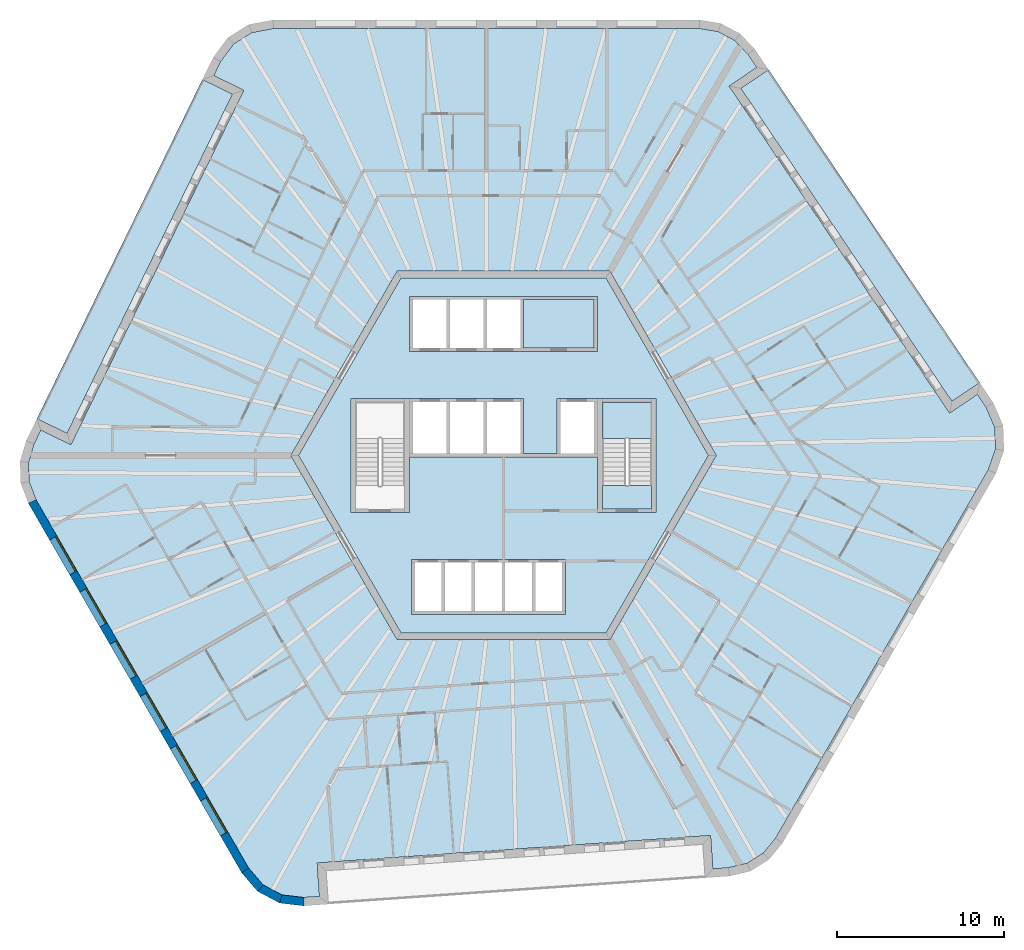
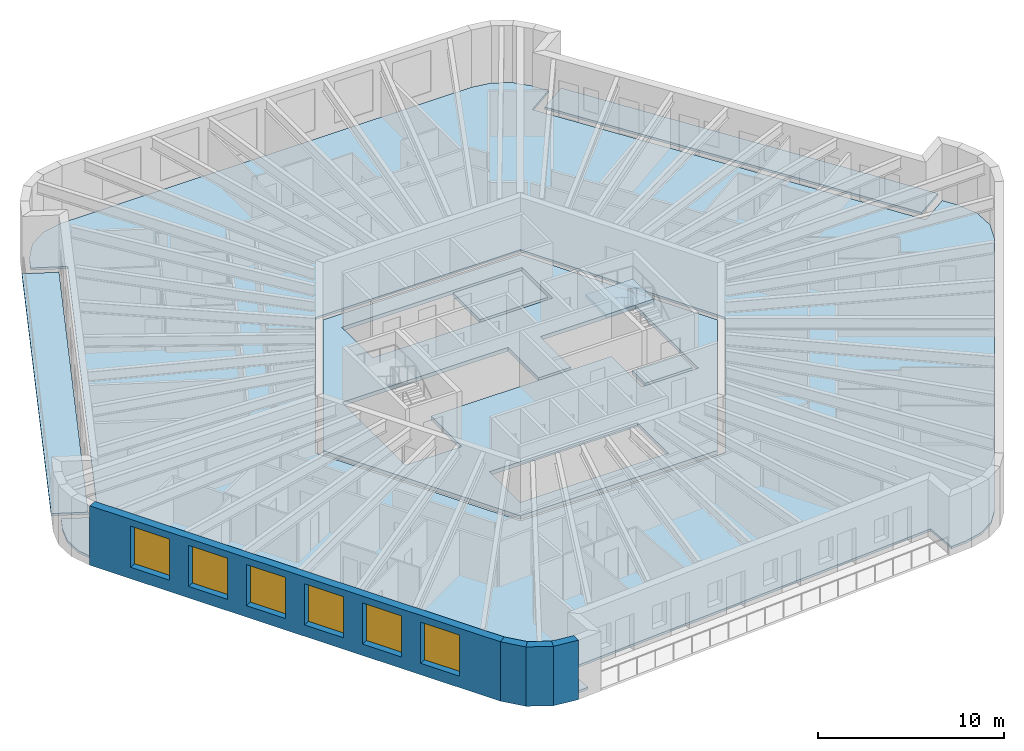
# One storey, part 2 of 12: 7 slabs, 6 windows, 4 walls, 6 openings, 1 element without a shape of its own.
"""IFC4 building model written with IfcOpenShell, lengths in metres."""

from ifc_helpers import new_model, si_unit, direction, frame, frame_2d, origin, place, context, subcontext, project, spatial, polyline, rectangle, outline, extrude, material, layer, layer_set, type_object, element, fill, aggregate, save


model = new_model("IFC4")

# Units and contexts
model_context = context("Model", 3, precision=1e-05, world=origin(), true_north=direction((0.0, 1.0)))
body_context = subcontext(model_context, "Body", "Model", "MODEL_VIEW")
ifc_project = project(units=[si_unit("LENGTHUNIT", "METRE"), si_unit("AREAUNIT", "SQUARE_METRE"), si_unit("VOLUMEUNIT", "CUBIC_METRE"), si_unit("PLANEANGLEUNIT", "RADIAN"), si_unit("MASSUNIT", "GRAM", prefix="KILO")], contexts=[model_context])

# Site, building, storey
site_placement = place(None, origin())
site = spatial("IfcSite", under=ifc_project, at=site_placement, CompositionType="ELEMENT")
building_placement = place(site_placement, origin())
building = spatial("IfcBuilding", under=site, at=building_placement, Name="Tarnside Tower", CompositionType="ELEMENT")
storey_placement = place(building_placement, frame((0.0, 0.0, 295.199951171875)))
storey = spatial("IfcBuildingStorey", under=building, at=storey_placement, Name="L71", CompositionType="ELEMENT", Elevation=295.199951171875)

# Slabs
ifc_material_1 = material(Name="Concrete C35/45", Category="concrete")
ifc_layer_1 = layer(ifc_material_1, 0.14990234375)
ifc_layer_set_1 = layer_set([ifc_layer_1], Name="Composite floor slab 150")
slab_type_1 = type_object("IfcSlabType", Name="Composite floor slab 150", PredefinedType="FLOOR", material=ifc_layer_set_1)
slab_1_placement = place(storey_placement, frame((0.0, 0.0, -0.14990234375)))
element("IfcSlab", 1, at=slab_1_placement, inside=storey, type_object=slab_type_1, Name="Floor slab L71", PredefinedType="FLOOR", context=body_context, shape_type="SweptSolid", body=[
    extrude(outline(polyline([(12.81689453125, 25.312744140625), (13.818115234375, 24.7802734375), (14.610595703125, 23.940185546875), (15.130615234375, 23.169677734375), (13.472412109375, 22.05126953125), (26.638427734375, 2.53173828125), (28.29638671875, 3.650146484375), (28.814697265625, 2.8818359375), (29.336669921875, 1.671875), (29.3818359375, 0.378662109375), (28.945556640625, -0.864990234375), (16.2451171875, -22.86279296875), (15.51318359375, -23.756103515625), (14.55126953125, -24.35693359375), (13.427490234375, -24.623291015625), (12.500244140625, -24.688232421875), (12.360595703125, -22.693115234375), (-11.126708984375, -24.33544921875), (-10.9873046875, -26.33056640625), (-11.91162109375, -26.395263671875), (-13.220458984375, -26.2421875), (-14.363037109375, -25.634765625), (-15.2216796875, -24.635009765625), (-27.922119140625, -2.63720703125), (-28.329833984375, -1.556640625), (-28.369384765625, -0.42333984375), (-28.0380859375, 0.68310546875), (-27.630615234375, 1.5185546875), (-25.8330078125, 0.641845703125), (-15.51171875, 21.8037109375), (-17.309326171875, 22.680419921875), (-16.903076171875, 23.51318359375), (-16.1162109375, 24.5703125), (-15.018798828125, 25.256103515625), (-13.723876953125, 25.5), (11.67724609375, 25.5), (12.81689453125, 25.312744140625)]), holes=[polyline([(-12.70166015625, 0.0), (-6.350830078125, -11.0), (6.350830078125, -11.0), (12.70166015625, 0.0), (6.350830078125, 11.0), (-6.350830078125, 11.0), (-12.70166015625, 0.0)])]), origin(), (0.0, 0.0, 1.0), 0.14990234375),
])
ifc_material_2 = material(Name="Concrete C40/50", Category="concrete")
ifc_layer_2 = layer(ifc_material_2, 0.25)
ifc_layer_set_2 = layer_set([ifc_layer_2], Name="Core slab C40/50")
slab_type_2 = type_object("IfcSlabType", Name="Core slab C40/50", PredefinedType="FLOOR", material=ifc_layer_set_2)
slab_2_placement = place(storey_placement, frame((0.0, 0.0, -0.25)))
element("IfcSlab", 2, at=slab_2_placement, inside=storey, type_object=slab_type_2, Name="L71 core floor slab 1", PredefinedType="FLOOR", context=body_context, shape_type="SweptSolid", body=[
    extrude(outline(polyline([(6.119873046875, 10.60009765625), (12.23974609375, 0.0), (6.119873046875, -10.60009765625), (-6.119873046875, -10.60009765625), (-12.23974609375, 0.0), (-6.119873046875, 10.60009765625), (6.119873046875, 10.60009765625)]), holes=[polyline([(-5.5, -9.5), (3.699951171875, -9.5), (3.699951171875, -9.300048828125), (3.699951171875, -6.39990234375), (3.699951171875, -6.199951171875), (-5.5, -6.199951171875), (-5.5, -6.39990234375), (-5.5, -9.300048828125), (-5.5, -9.5)]), polyline([(-5.60009765625, -3.39990234375), (-5.60009765625, -0.10009765625), (5.60009765625, -0.10009765625), (5.60009765625, -3.39990234375), (5.89990234375, -3.39990234375), (8.85009765625, -3.39990234375), (9.10009765625, -3.39990234375), (9.10009765625, 3.39990234375), (8.85009765625, 3.39990234375), (5.89990234375, 3.39990234375), (5.60009765625, 3.39990234375), (3.39990234375, 3.39990234375), (3.199951171875, 3.39990234375), (3.199951171875, 0.10009765625), (1.199951171875, 0.10009765625), (1.199951171875, 3.39990234375), (1.0, 3.39990234375), (-5.60009765625, 3.39990234375), (-5.89990234375, 3.39990234375), (-8.85009765625, 3.39990234375), (-9.10009765625, 3.39990234375), (-9.10009765625, -3.39990234375), (-8.85009765625, -3.39990234375), (-5.89990234375, -3.39990234375), (-5.60009765625, -3.39990234375)]), polyline([(-5.60009765625, 6.199951171875), (5.60009765625, 6.199951171875), (5.60009765625, 6.39990234375), (5.60009765625, 9.300048828125), (5.60009765625, 9.5), (-5.60009765625, 9.5), (-5.60009765625, 9.300048828125), (-5.60009765625, 6.39990234375), (-5.60009765625, 6.199951171875)])]), origin(), (0.0, 0.0, 1.0), 0.25),
])
slab_3_placement = place(storey_placement, frame((0.0, 0.0, -0.25)))
element("IfcSlab", 3, at=slab_3_placement, inside=storey, type_object=slab_type_2, Name="L71 core floor slab 3", PredefinedType="FLOOR", context=body_context, shape_type="SweptSolid", body=[
    extrude(outline(polyline([(5.89990234375, -1.800048828125), (8.85009765625, -1.800048828125), (8.85009765625, -3.199951171875), (5.89990234375, -3.199951171875), (5.89990234375, -1.800048828125)])), origin(), (0.0, 0.0, 1.0), 0.25),
])
slab_4_placement = place(storey_placement, frame((0.0, 0.0, -0.25)))
element("IfcSlab", 4, at=slab_4_placement, inside=storey, type_object=slab_type_2, Name="L71 core floor slab 4", PredefinedType="FLOOR", context=body_context, shape_type="SweptSolid", body=[
    extrude(outline(polyline([(5.39990234375, 6.39990234375), (1.199951171875, 6.39990234375), (1.199951171875, 9.300048828125), (5.39990234375, 9.300048828125), (5.39990234375, 6.39990234375)])), origin(), (0.0, 0.0, 1.0), 0.25),
])
ifc_material_3 = material(Name="Timber decking", Category="wood")
ifc_layer_3 = layer(ifc_material_3, 0.0400390625)
ifc_material_4 = material(Name="Concrete C60/75 precast", Category="concrete")
ifc_layer_4 = layer(ifc_material_4, 0.110107421875)
ifc_layer_set_3 = layer_set([ifc_layer_3, ifc_layer_4], Name="Loggia deck 150")
slab_type_3 = type_object("IfcSlabType", Name="Loggia deck 150", PredefinedType="FLOOR", material=ifc_layer_set_3)
slab_5_placement = place(storey_placement, frame((0.0, 0.0, -0.14990234375)))
element("IfcSlab", 5, at=slab_5_placement, inside=storey, type_object=slab_type_3, Name="Loggia deck L71 F2", PredefinedType="FLOOR", context=body_context, shape_type="SweptSolid", body=[
    extrude(outline(polyline([(-16.180419921875, 21.573486328125), (-26.063232421875, 1.310302734375), (-27.86083984375, 2.187255859375), (-17.97802734375, 22.4501953125), (-16.180419921875, 21.573486328125)])), origin(), (0.0, 0.0, 1.0), 0.14990234375),
])
slab_6_placement = place(storey_placement, frame((0.0, 0.0, -0.14990234375)))
element("IfcSlab", 6, at=slab_6_placement, inside=storey, type_object=slab_type_3, Name="Loggia deck L71 F6", PredefinedType="FLOOR", context=body_context, shape_type="SweptSolid", body=[
    extrude(outline(polyline([(26.7734375, 3.225830078125), (14.16650390625, 21.916259765625), (15.82470703125, 23.03466796875), (28.431396484375, 4.34423828125), (26.7734375, 3.225830078125)])), origin(), (0.0, 0.0, 1.0), 0.14990234375),
])

# Stair, slab
stair_type = type_object("IfcStairType", Name="Exit stair 1400 clear", PredefinedType="HALF_TURN_STAIR", material=ifc_material_2)
stair_placement = place(storey_placement, origin())
stair = element("IfcStair", 7, at=stair_placement, inside=storey, type_object=stair_type, Name="L71 Exit stair 1", PredefinedType="HALF_TURN_STAIR")
ifc_layer_5 = layer(ifc_material_2, 0.199951171875)
ifc_layer_set_4 = layer_set([ifc_layer_5], Name="Stair landing 200 C40/50")
slab_type_4 = type_object("IfcSlabType", Name="Stair landing 200 C40/50", PredefinedType="LANDING", material=ifc_layer_set_4)
slab_7_placement = place(storey_placement, frame((0.0, 0.0, 1.75)))
slab_7 = element("IfcSlab", 8, at=slab_7_placement, type_object=slab_type_4, Name="ST1 landing 1", PredefinedType="LANDING", context=body_context, shape_type="SweptSolid", body=[
    extrude(outline(polyline([(8.85009765625, 1.0), (8.85009765625, 3.199951171875), (5.89990234375, 3.199951171875), (5.89990234375, 1.0), (8.85009765625, 1.0)])), origin(), (0.0, 0.0, 1.0), 0.199951171875),
])
aggregate(stair, [slab_7])

# Wall, openings, windows
ifc_material_5 = material(Name="Facing brick", Category="masonry")
ifc_layer_6 = layer(ifc_material_5, 0.10205078125)
ifc_layer_7 = layer(ifc_material_4, 0.298095703125)
ifc_material_6 = material(Name="Mineral wool insulation")
ifc_layer_8 = layer(ifc_material_6, 0.10009765625)
ifc_layer_set_5 = layer_set([ifc_layer_6, ifc_layer_7, ifc_layer_8], Name="Tube wall 500 brick faced")
wall_type = type_object("IfcWallType", Name="Tube wall 500 brick faced", PredefinedType="SOLIDWALL", material=ifc_layer_set_5)
wall_1_placement = place(storey_placement, frame((-28.14892578125, -2.74462890625, -0.14990234375), z_axis=(0.0, 0.0, 1.0), x_axis=(0.500003737743, -0.866023245787, 0.0)))
wall_1 = element("IfcWall", 9, at=wall_1_placement, inside=storey, type_object=wall_type, Name="Tube wall L71 F3 flush 12", PredefinedType="SOLIDWALL", context=body_context, shape_type="SweptSolid", body=[
    extrude(outline(polyline([(-0.0205078125, -0.25), (25.468017578125, -0.25), (25.421142578125, 0.25), (0.0205078125, 0.25), (-0.0205078125, -0.25)])), origin(), (0.0, 0.0, 1.0), 3.89990234375),
])
opening_1_placement = place(wall_1_placement, frame((2.5224609375, 0.0, 0.75)))
opening_1 = element("IfcOpeningElement", 10, at=opening_1_placement, cuts=wall_1, Name="Opening WR", PredefinedType="OPENING", context=body_context, shape_type="SweptSolid", body=[
    extrude(rectangle(XDim=2.39990234375, YDim=2.699951171875, at=frame_2d((1.199951171875, 1.35009765625))), frame((0.0, 0.260009765625, 0.0), z_axis=(0.0, -1.0, 0.0), x_axis=(1.0, 0.0, 0.0)), (0.0, 0.0, 1.0), 0.52001953125),
])
opening_2_placement = place(wall_1_placement, frame((6.122314453125, 0.0, 0.75)))
opening_2 = element("IfcOpeningElement", 11, at=opening_2_placement, cuts=wall_1, Name="Opening WR", PredefinedType="OPENING", context=body_context, shape_type="SweptSolid", body=[
    extrude(rectangle(XDim=2.39990234375, YDim=2.699951171875, at=frame_2d((1.199951171875, 1.35009765625))), frame((0.0, 0.260009765625, 0.0), z_axis=(0.0, -1.0, 0.0), x_axis=(1.0, 0.0, 0.0)), (0.0, 0.0, 1.0), 0.52001953125),
])
opening_3_placement = place(wall_1_placement, frame((9.722412109375, 0.0, 0.75)))
opening_3 = element("IfcOpeningElement", 12, at=opening_3_placement, cuts=wall_1, Name="Opening WR", PredefinedType="OPENING", context=body_context, shape_type="SweptSolid", body=[
    extrude(rectangle(XDim=2.39990234375, YDim=2.699951171875, at=frame_2d((1.199951171875, 1.35009765625))), frame((0.0, 0.260009765625, 0.0), z_axis=(0.0, -1.0, 0.0), x_axis=(1.0, 0.0, 0.0)), (0.0, 0.0, 1.0), 0.52001953125),
])
opening_4_placement = place(wall_1_placement, frame((13.322509765625, 0.0, 0.75)))
opening_4 = element("IfcOpeningElement", 13, at=opening_4_placement, cuts=wall_1, Name="Opening WR", PredefinedType="OPENING", context=body_context, shape_type="SweptSolid", body=[
    extrude(rectangle(XDim=2.39990234375, YDim=2.699951171875, at=frame_2d((1.199951171875, 1.35009765625))), frame((0.0, 0.260009765625, 0.0), z_axis=(0.0, -1.0, 0.0), x_axis=(1.0, 0.0, 0.0)), (0.0, 0.0, 1.0), 0.52001953125),
])
opening_5_placement = place(wall_1_placement, frame((16.92236328125, 0.0, 0.75)))
opening_5 = element("IfcOpeningElement", 14, at=opening_5_placement, cuts=wall_1, Name="Opening WR", PredefinedType="OPENING", context=body_context, shape_type="SweptSolid", body=[
    extrude(rectangle(XDim=2.39990234375, YDim=2.699951171875, at=frame_2d((1.199951171875, 1.35009765625))), frame((0.0, 0.260009765625, 0.0), z_axis=(0.0, -1.0, 0.0), x_axis=(1.0, 0.0, 0.0)), (0.0, 0.0, 1.0), 0.52001953125),
])
opening_6_placement = place(wall_1_placement, frame((20.5224609375, 0.0, 0.75)))
opening_6 = element("IfcOpeningElement", 15, at=opening_6_placement, cuts=wall_1, Name="Opening WR", PredefinedType="OPENING", context=body_context, shape_type="SweptSolid", body=[
    extrude(rectangle(XDim=2.39990234375, YDim=2.699951171875, at=frame_2d((1.199951171875, 1.35009765625))), frame((0.0, 0.260009765625, 0.0), z_axis=(0.0, -1.0, 0.0), x_axis=(1.0, 0.0, 0.0)), (0.0, 0.0, 1.0), 0.52001953125),
])
ifc_material_7 = material(Name="Aluminium-framed double glazing", Category="aluminium")
window_type = type_object("IfcWindowType", Name="Residence window 2400 x 2700", PartitioningType="DOUBLE_PANEL_VERTICAL", PredefinedType="WINDOW", material=ifc_material_7)
window_1_placement = place(opening_1_placement, frame((0.0, 0.179931640625, 0.0)))
window_1 = element("IfcWindow", 16, at=window_1_placement, inside=storey, type_object=window_type, Name="E.WN.L71.F3.00", OverallHeight=2.699951171875, OverallWidth=2.39990234375, PartitioningType="DOUBLE_PANEL_VERTICAL", PredefinedType="WINDOW", context=body_context, shape_type="SweptSolid", body=[
    extrude(rectangle(XDim=2.39990234375, YDim=2.699951171875, at=frame_2d((1.199951171875, 1.35009765625))), frame((0.0, 0.030029296875, 0.0), z_axis=(0.0, -1.0, 0.0), x_axis=(1.0, 0.0, 0.0)), (0.0, 0.0, 1.0), 0.06005859375),
])
fill(opening_1, window_1)
window_2_placement = place(opening_2_placement, frame((0.0, 0.179931640625, 0.0)))
window_2 = element("IfcWindow", 17, at=window_2_placement, inside=storey, type_object=window_type, Name="E.WN.L71.F3.01", OverallHeight=2.699951171875, OverallWidth=2.39990234375, PartitioningType="DOUBLE_PANEL_VERTICAL", PredefinedType="WINDOW", context=body_context, shape_type="SweptSolid", body=[
    extrude(rectangle(XDim=2.39990234375, YDim=2.699951171875, at=frame_2d((1.199951171875, 1.35009765625))), frame((0.0, 0.030029296875, 0.0), z_axis=(0.0, -1.0, 0.0), x_axis=(1.0, 0.0, 0.0)), (0.0, 0.0, 1.0), 0.06005859375),
])
fill(opening_2, window_2)
window_3_placement = place(opening_3_placement, frame((0.0, 0.179931640625, 0.0)))
window_3 = element("IfcWindow", 18, at=window_3_placement, inside=storey, type_object=window_type, Name="E.WN.L71.F3.02", OverallHeight=2.699951171875, OverallWidth=2.39990234375, PartitioningType="DOUBLE_PANEL_VERTICAL", PredefinedType="WINDOW", context=body_context, shape_type="SweptSolid", body=[
    extrude(rectangle(XDim=2.39990234375, YDim=2.699951171875, at=frame_2d((1.199951171875, 1.35009765625))), frame((0.0, 0.030029296875, 0.0), z_axis=(0.0, -1.0, 0.0), x_axis=(1.0, 0.0, 0.0)), (0.0, 0.0, 1.0), 0.06005859375),
])
fill(opening_3, window_3)
window_4_placement = place(opening_4_placement, frame((0.0, 0.179931640625, 0.0)))
window_4 = element("IfcWindow", 19, at=window_4_placement, inside=storey, type_object=window_type, Name="E.WN.L71.F3.03", OverallHeight=2.699951171875, OverallWidth=2.39990234375, PartitioningType="DOUBLE_PANEL_VERTICAL", PredefinedType="WINDOW", context=body_context, shape_type="SweptSolid", body=[
    extrude(rectangle(XDim=2.39990234375, YDim=2.699951171875, at=frame_2d((1.199951171875, 1.35009765625))), frame((0.0, 0.030029296875, 0.0), z_axis=(0.0, -1.0, 0.0), x_axis=(1.0, 0.0, 0.0)), (0.0, 0.0, 1.0), 0.06005859375),
])
fill(opening_4, window_4)
window_5_placement = place(opening_5_placement, frame((0.0, 0.179931640625, 0.0)))
window_5 = element("IfcWindow", 20, at=window_5_placement, inside=storey, type_object=window_type, Name="E.WN.L71.F3.04", OverallHeight=2.699951171875, OverallWidth=2.39990234375, PartitioningType="DOUBLE_PANEL_VERTICAL", PredefinedType="WINDOW", context=body_context, shape_type="SweptSolid", body=[
    extrude(rectangle(XDim=2.39990234375, YDim=2.699951171875, at=frame_2d((1.199951171875, 1.35009765625))), frame((0.0, 0.030029296875, 0.0), z_axis=(0.0, -1.0, 0.0), x_axis=(1.0, 0.0, 0.0)), (0.0, 0.0, 1.0), 0.06005859375),
])
fill(opening_5, window_5)
window_6_placement = place(opening_6_placement, frame((0.0, 0.179931640625, 0.0)))
window_6 = element("IfcWindow", 21, at=window_6_placement, inside=storey, type_object=window_type, Name="E.WN.L71.F3.05", OverallHeight=2.699951171875, OverallWidth=2.39990234375, PartitioningType="DOUBLE_PANEL_VERTICAL", PredefinedType="WINDOW", context=body_context, shape_type="SweptSolid", body=[
    extrude(rectangle(XDim=2.39990234375, YDim=2.699951171875, at=frame_2d((1.199951171875, 1.35009765625))), frame((0.0, 0.030029296875, 0.0), z_axis=(0.0, -1.0, 0.0), x_axis=(1.0, 0.0, 0.0)), (0.0, 0.0, 1.0), 0.06005859375),
])
fill(opening_6, window_6)

# Walls
wall_2_placement = place(storey_placement, frame((-15.426513671875, -24.7802734375, -0.14990234375), z_axis=(0.0, 0.0, 1.0), x_axis=(0.651616566281, -0.758548515619, 0.0)))
element("IfcWall", 22, at=wall_2_placement, inside=storey, type_object=wall_type, Name="Tube wall L71 F3 chord 13", PredefinedType="SOLIDWALL", context=body_context, shape_type="SweptSolid", body=[
    extrude(outline(polyline([(-0.0234375, -0.25), (1.435302734375, -0.25), (1.341064453125, 0.25), (0.0234375, 0.25), (-0.0234375, -0.25)])), origin(), (0.0, 0.0, 1.0), 3.89990234375),
])
wall_3_placement = place(storey_placement, frame((-14.52197265625, -25.833251953125, -0.14990234375), z_axis=(0.0, 0.0, 1.0), x_axis=(0.882926676147, -0.469510899286, 0.0)))
element("IfcWall", 23, at=wall_3_placement, inside=storey, type_object=wall_type, Name="Tube wall L71 F3 chord 14", PredefinedType="SOLIDWALL", context=body_context, shape_type="SweptSolid", body=[
    extrude(outline(polyline([(-0.047119140625, -0.25), (1.435546875, -0.25), (1.34130859375, 0.25), (0.047119140625, 0.25), (-0.047119140625, -0.25)])), origin(), (0.0, 0.0, 1.0), 3.89990234375),
])
wall_4_placement = place(storey_placement, frame((-13.296142578125, -26.485107421875, -0.14990234375), z_axis=(0.0, 0.0, 1.0), x_axis=(0.993239161627, -0.116086036245, 0.0)))
element("IfcWall", 24, at=wall_4_placement, inside=storey, type_object=wall_type, Name="Tube wall L71 F3 chord 15", PredefinedType="SOLIDWALL", context=body_context, shape_type="SweptSolid", body=[
    extrude(outline(polyline([(-0.047119140625, -0.25), (1.411376953125, -0.25), (1.364501953125, 0.25), (0.047119140625, 0.25), (-0.047119140625, -0.25)])), origin(), (0.0, 0.0, 1.0), 3.89990234375),
])

save(model, "model.ifc")
